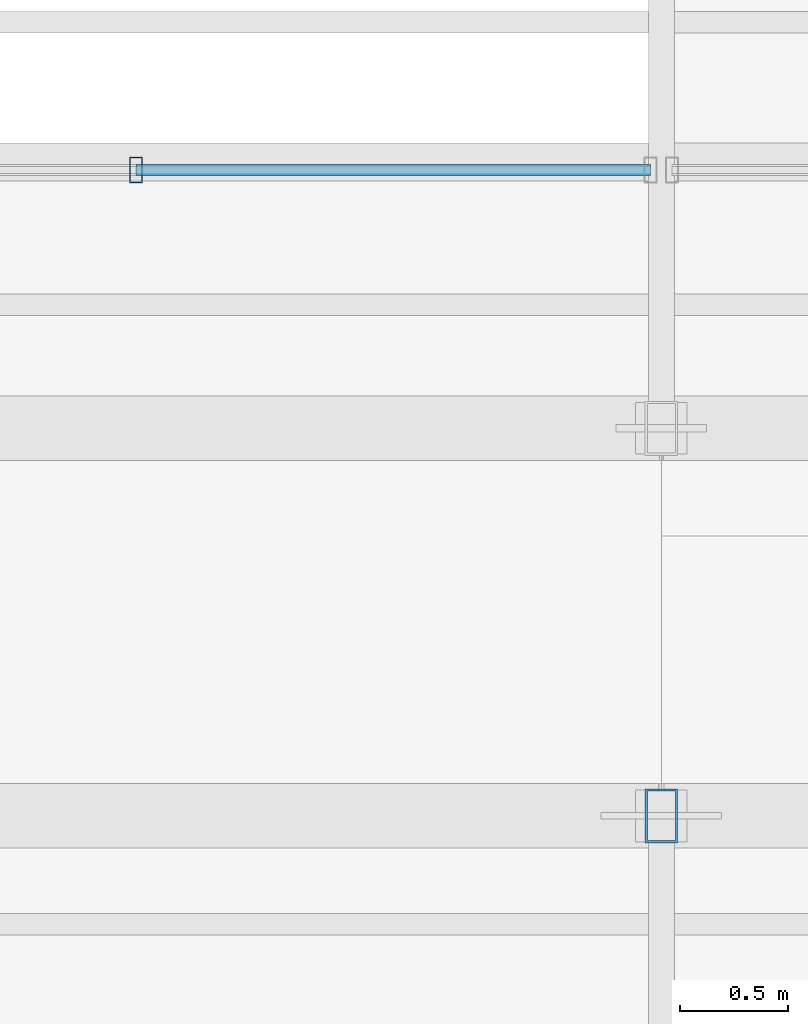
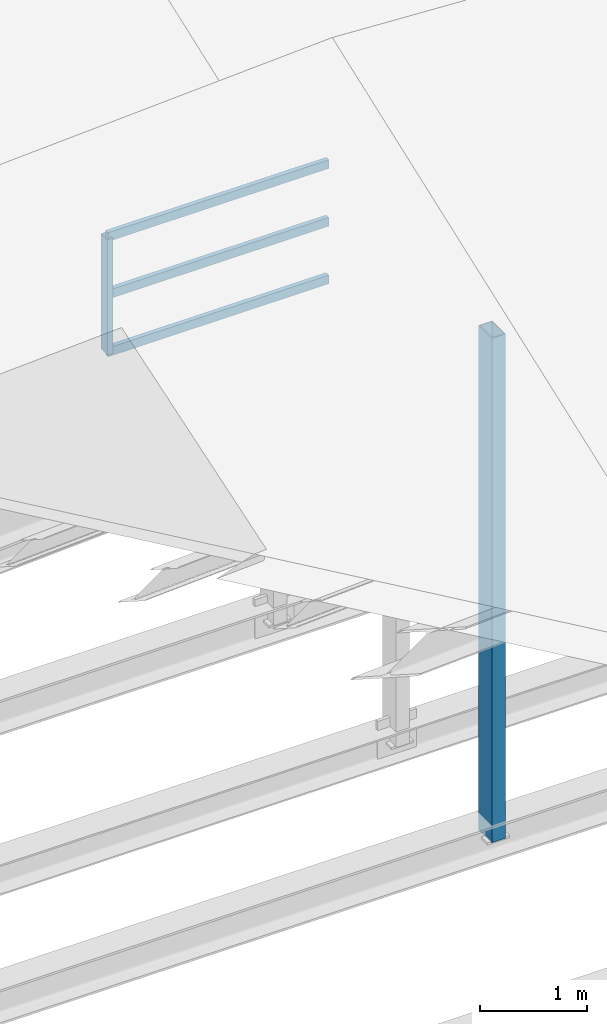
# One storey, part 94 of 141: 5 members, 1 element without a shape of its own.
"""IFC4 building model written with IfcOpenShell, lengths in metres."""

from ifc_helpers import new_model, si_unit, direction, frame, origin, origin_2d, place, context, subcontext, project, spatial, hollow_rectangle, extrude, material, material_profile, profile_set, type_object, element, aggregate, save


model = new_model("IFC4")

# Units and contexts
model_context = context("Model", 3, precision=1e-05, world=origin(), true_north=direction((0.0, 1.0)))
body_context = subcontext(model_context, "Body", "Model", "MODEL_VIEW")
ifc_project = project(units=[si_unit("LENGTHUNIT", "METRE"), si_unit("AREAUNIT", "SQUARE_METRE"), si_unit("VOLUMEUNIT", "CUBIC_METRE"), si_unit("PLANEANGLEUNIT", "RADIAN"), si_unit("MASSUNIT", "GRAM", prefix="KILO")], contexts=[model_context])

# Site, building, storey
site_placement = place(None, origin())
site = spatial("IfcSite", under=ifc_project, at=site_placement, CompositionType="ELEMENT")
building_placement = place(site_placement, origin())
building = spatial("IfcBuilding", under=site, at=building_placement, Name="Sundkrona Museum", CompositionType="ELEMENT")
storey_placement = place(building_placement, frame((0.0, 0.0, 34.0)))
storey = spatial("IfcBuildingStorey", under=building, at=storey_placement, Name="RF", CompositionType="ELEMENT", Elevation=34.0)

# Curtain wall, member
ifc_material_1 = material(Name="Unitised Aluminium-Steel and Ceramic-Clad Curtain Walling", Category="steel")
curtain_wall_type = type_object("IfcCurtainWallType", Name="CW-SW-240x13", PredefinedType="NOTDEFINED", material=ifc_material_1)
curtain_wall_placement = place(storey_placement, origin())
curtain_wall = element("IfcCurtainWall", 1, at=curtain_wall_placement, inside=storey, type_object=curtain_wall_type, Name="Sawtooth Bay 6 West North-Light Clerestory", PredefinedType="NOTDEFINED")
ifc_material_2 = material(Name="Aluminium EN AW-6060 T66", Category="aluminium")
ifc_material_profile_1 = material_profile(ifc_material_2, hollow_rectangle(XDim=0.06005859375, YDim=0.1201171875, WallThickness=0.0048828125, at=origin_2d()), Name="RHS 120x60x5.0")
ifc_profile_set_1 = profile_set([ifc_material_profile_1], Name="Aluminium EN AW-6060 T66")
member_type_1 = type_object("IfcMemberType", Name="ML-120", PredefinedType="MULLION", material=ifc_profile_set_1)
member_1_placement = place(storey_placement, frame((141.56005859375, 42.699951171875, 4.31298828125), z_axis=(0.0, 0.0, 1.0), x_axis=(1.0, 0.0, 0.0)))
member_1 = element("IfcMember", 2, at=member_1_placement, type_object=member_type_1, Name="CW-RF-SAW-06W Mullion 10", PredefinedType="MULLION", context=body_context, shape_type="SweptSolid", body=[
    extrude(hollow_rectangle(XDim=0.06005859375, YDim=0.1201171875, WallThickness=0.0048828125, at=origin_2d()), origin(), (0.0, 0.0, 1.0), 1.320068359375),
])

# Member
ifc_material_3 = material(Name="Steel S355J2", Category="steel")
ifc_material_profile_2 = material_profile(ifc_material_3, hollow_rectangle(XDim=0.14990234375, YDim=0.25, WallThickness=0.010009765625, at=origin_2d()), Name="RHS 250x150x10.0")
ifc_profile_set_2 = profile_set([ifc_material_profile_2], Name="Steel S355J2")
member_type_2 = type_object("IfcMemberType", Name="ST-RHS250", PredefinedType="STRUT", material=ifc_profile_set_2)
member_2_placement = place(storey_placement, frame((144.0, 39.699951171875, -0.25), z_axis=(0.0, 0.0, 1.0), x_axis=(1.0, 0.0, 0.0)))
element("IfcMember", 3, at=member_2_placement, inside=storey, type_object=member_type_2, Name="RFS-1 Sawtooth Truss 6 Vertical Post 4", PredefinedType="STRUT", context=body_context, shape_type="SweptSolid", body=[
    extrude(hollow_rectangle(XDim=0.14990234375, YDim=0.25, WallThickness=0.010009765625, at=origin_2d()), origin(), (0.0, 0.0, 1.0), 5.77587890625),
])

ifc_material_profile_3 = material_profile(ifc_material_2, hollow_rectangle(XDim=0.050048828125, YDim=0.10009765625, WallThickness=0.0048828125, at=origin_2d()), Name="RHS 100x50x5.0")
ifc_profile_set_3 = profile_set([ifc_material_profile_3], Name="Aluminium EN AW-6060 T66")
member_type_3 = type_object("IfcMemberType", Name="TR-100", PredefinedType="USERDEFINED", material=ifc_profile_set_3)
member_3_placement = place(storey_placement, frame((141.56005859375, 42.699951171875, 4.31298828125), z_axis=(1.0, 0.0, 0.0), x_axis=(0.0, 1.0, 0.0)))
member_3 = element("IfcMember", 4, at=member_3_placement, type_object=member_type_3, Name="CW-RF-SAW-06W Transom 28", ObjectType="TRANSOM", PredefinedType="USERDEFINED", context=body_context, shape_type="SweptSolid", body=[
    extrude(hollow_rectangle(XDim=0.050048828125, YDim=0.10009765625, WallThickness=0.0048828125, at=origin_2d()), origin(), (0.0, 0.0, 1.0), 2.389892578125),
])

member_4_placement = place(storey_placement, frame((141.56005859375, 42.699951171875, 4.972900390625), z_axis=(1.0, 0.0, 0.0), x_axis=(0.0, 1.0, 0.0)))
member_4 = element("IfcMember", 5, at=member_4_placement, type_object=member_type_3, Name="CW-RF-SAW-06W Transom 29", ObjectType="TRANSOM", PredefinedType="USERDEFINED", context=body_context, shape_type="SweptSolid", body=[
    extrude(hollow_rectangle(XDim=0.050048828125, YDim=0.10009765625, WallThickness=0.0048828125, at=origin_2d()), origin(), (0.0, 0.0, 1.0), 2.389892578125),
])

member_5_placement = place(storey_placement, frame((141.56005859375, 42.699951171875, 5.633056640625), z_axis=(1.0, 0.0, 0.0), x_axis=(0.0, 1.0, 0.0)))
member_5 = element("IfcMember", 6, at=member_5_placement, type_object=member_type_3, Name="CW-RF-SAW-06W Transom 30", ObjectType="TRANSOM", PredefinedType="USERDEFINED", context=body_context, shape_type="SweptSolid", body=[
    extrude(hollow_rectangle(XDim=0.050048828125, YDim=0.10009765625, WallThickness=0.0048828125, at=origin_2d()), origin(), (0.0, 0.0, 1.0), 2.389892578125),
])

aggregate(curtain_wall, [member_1, member_3, member_4, member_5])

save(model, "model.ifc")
